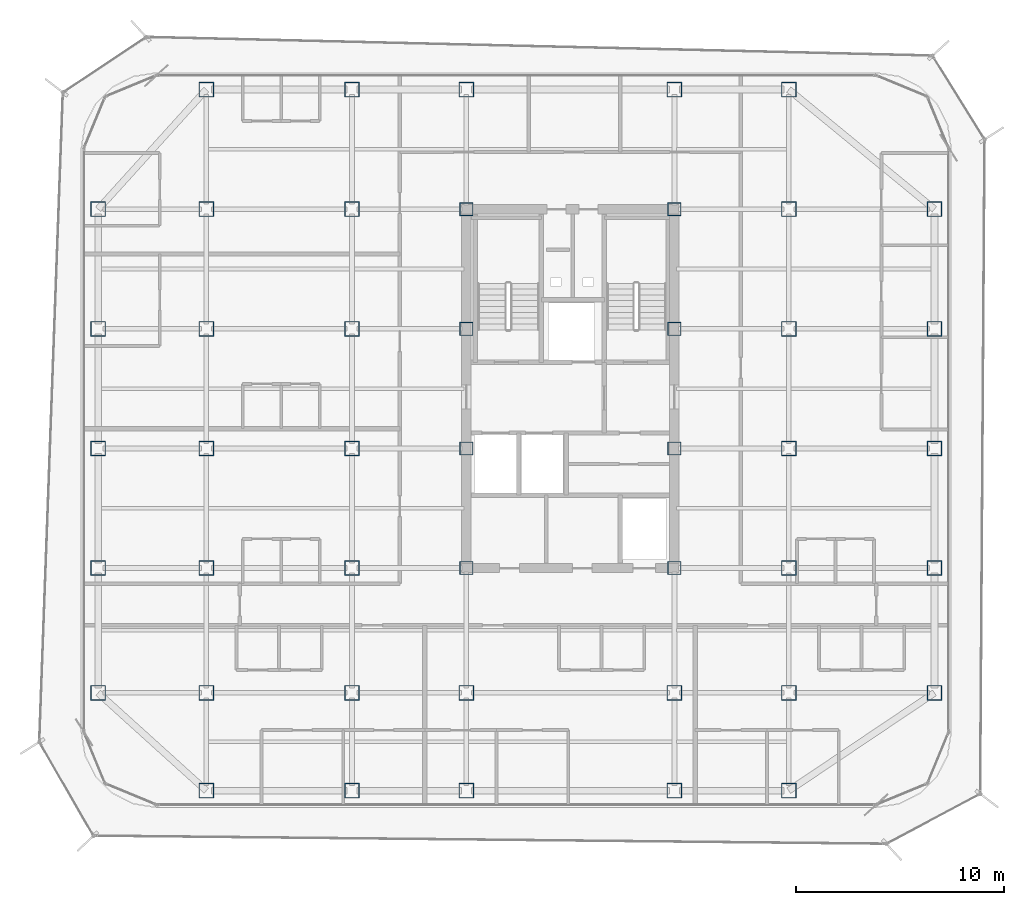
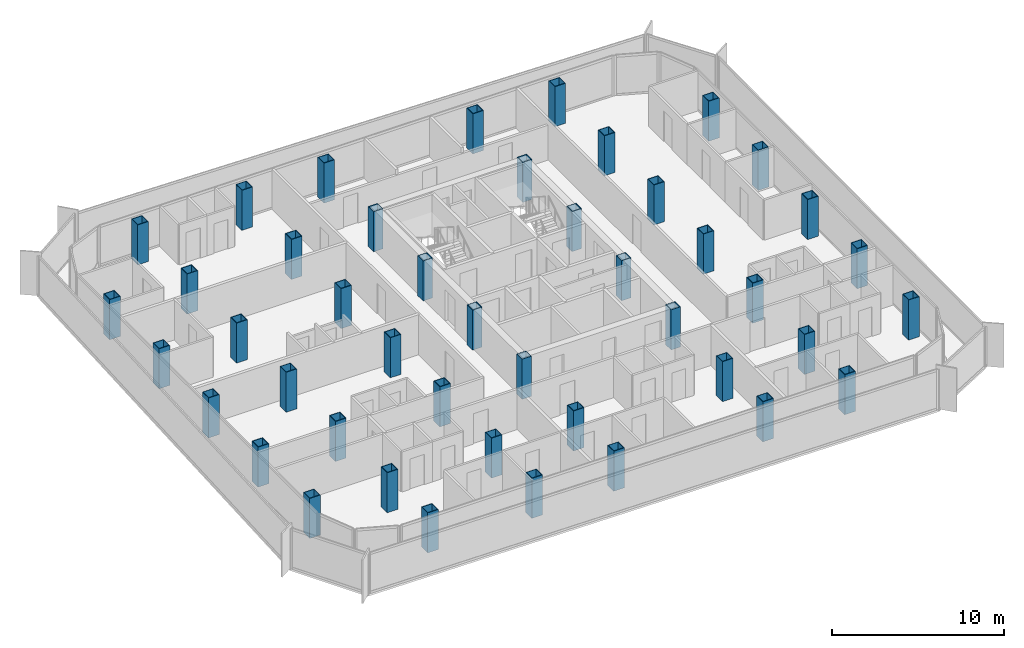
# One storey, part 1 of 16: 45 columns.
"""IFC4 building model written with IfcOpenShell, lengths in metres."""

from ifc_helpers import new_model, si_unit, direction, frame, origin, origin_2d, place, context, subcontext, project, spatial, hollow_rectangle, extrude, source, transform, mapped, material, material_profile, profile_set, type_object, element, save


model = new_model("IFC4")

# Units and contexts
model_context = context("Model", 3, precision=1e-05, world=origin(), true_north=direction((0.0, 1.0)))
body_context = subcontext(model_context, "Body", "Model", "MODEL_VIEW")
ifc_project = project(units=[si_unit("LENGTHUNIT", "METRE"), si_unit("AREAUNIT", "SQUARE_METRE"), si_unit("VOLUMEUNIT", "CUBIC_METRE"), si_unit("PLANEANGLEUNIT", "RADIAN"), si_unit("MASSUNIT", "GRAM", prefix="KILO")], contexts=[model_context])

# Site, building, storey
site_placement = place(None, origin())
site = spatial("IfcSite", under=ifc_project, at=site_placement, CompositionType="ELEMENT")
building_placement = place(site_placement, origin())
building = spatial("IfcBuilding", under=site, at=building_placement, Name="Kolveth Station Tower", CompositionType="ELEMENT")
storey_placement = place(building_placement, frame((0.0, 0.0, 212.39990234375)))
storey = spatial("IfcBuildingStorey", under=building, at=storey_placement, Name="L60", CompositionType="ELEMENT", Elevation=212.39990234375)

# Columns
ifc_material = material(Name="Steel S355", Category="steel")
ifc_material_profile_1 = material_profile(ifc_material, hollow_rectangle(XDim=0.719970703125, YDim=0.719970703125, WallThickness=0.0400390625, at=origin_2d()), Name="BOX720x720x40")
ifc_profile_set_1 = profile_set([ifc_material_profile_1], Name="Steel S355")
column_type_1 = type_object("IfcColumnType", Name="Col_C6", PredefinedType="COLUMN", material=ifc_profile_set_1)
shared_shape_1 = source(origin(), body_context, "Body", "SweptSolid", [
    extrude(hollow_rectangle(XDim=0.719970703125, YDim=0.719970703125, WallThickness=0.0400390625, at=origin_2d()), origin(), (0.0, 0.0, 1.0), 2.840087890625),
])
for number, where, z_axis, x_axis, name in (
    (1, (6.0, 0.800048828125, 0.0), (0.0, 0.0, 1.0), (1.0, 0.0, 0.0), "L60 Tower Column S-X60"),
    (2, (6.0, 34.5, 0.0), (0.0, 0.0, 1.0), (1.0, 0.0, 0.0), "L60 Tower Column N-X60"),
    (3, (13.0, 0.800048828125, 0.0), (0.0, 0.0, 1.0), (1.0, 0.0, 0.0), "L60 Tower Column S-X130"),
    (4, (13.0, 34.5, 0.0), (0.0, 0.0, 1.0), (1.0, 0.0, 0.0), "L60 Tower Column N-X130"),
    (5, (18.5, 0.800048828125, 0.0), (0.0, 0.0, 1.0), (1.0, 0.0, 0.0), "L60 Tower Column S-X185"),
    (6, (18.5, 34.5, 0.0), (0.0, 0.0, 1.0), (1.0, 0.0, 0.0), "L60 Tower Column N-X185"),
    (7, (28.5, 0.800048828125, 0.0), (0.0, 0.0, 1.0), (1.0, 0.0, 0.0), "L60 Tower Column S-X285"),
    (8, (28.5, 34.5, 0.0), (0.0, 0.0, 1.0), (1.0, 0.0, 0.0), "L60 Tower Column N-X285"),
    (9, (34.0, 0.800048828125, 0.0), (0.0, 0.0, 1.0), (1.0, 0.0, 0.0), "L60 Tower Column S-X340"),
    (10, (34.0, 34.5, 0.0), (0.0, 0.0, 1.0), (1.0, 0.0, 0.0), "L60 Tower Column N-X340"),
    (11, (0.800048828125, 5.5, 0.0), (0.0, 0.0, 1.0), (1.0, 0.0, 0.0), "L60 Tower Column W-Y55"),
    (12, (41.0, 5.5, 0.0), (0.0, 0.0, 1.0), (1.0, 0.0, 0.0), "L60 Tower Column E-Y55"),
    (13, (0.800048828125, 11.5, 0.0), (0.0, 0.0, 1.0), (1.0, 0.0, 0.0), "L60 Tower Column W-Y115"),
    (14, (41.0, 11.5, 0.0), (0.0, 0.0, 1.0), (1.0, 0.0, 0.0), "L60 Tower Column E-Y115"),
    (15, (0.800048828125, 17.25, 0.0), (0.0, 0.0, 1.0), (1.0, 0.0, 0.0), "L60 Tower Column W-Y172"),
    (16, (41.0, 17.25, 0.0), (0.0, 0.0, 1.0), (1.0, 0.0, 0.0), "L60 Tower Column E-Y172"),
    (17, (0.800048828125, 23.0, 0.0), (0.0, 0.0, 1.0), (1.0, 0.0, 0.0), "L60 Tower Column W-Y230"),
    (18, (41.0, 23.0, 0.0), (0.0, 0.0, 1.0), (1.0, 0.0, 0.0), "L60 Tower Column E-Y230"),
    (19, (0.800048828125, 28.75, 0.0), (0.0, 0.0, 1.0), (1.0, 0.0, 0.0), "L60 Tower Column W-Y287"),
    (20, (41.0, 28.75, 0.0), (0.0, 0.0, 1.0), (1.0, 0.0, 0.0), "L60 Tower Column E-Y287"),
    (21, (6.0, 5.5, 0.0), (0.0, 0.0, 1.0), (1.0, 0.0, 0.0), "L60 Tower Column G-60-55"),
    (22, (6.0, 11.5, 0.0), (0.0, 0.0, 1.0), (1.0, 0.0, 0.0), "L60 Tower Column G-60-115"),
    (23, (6.0, 17.25, 0.0), (0.0, 0.0, 1.0), (1.0, 0.0, 0.0), "L60 Tower Column G-60-172"),
    (24, (6.0, 23.0, 0.0), (0.0, 0.0, 1.0), (1.0, 0.0, 0.0), "L60 Tower Column G-60-230"),
    (25, (6.0, 28.75, 0.0), (0.0, 0.0, 1.0), (1.0, 0.0, 0.0), "L60 Tower Column G-60-287"),
    (26, (13.0, 5.5, 0.0), (0.0, 0.0, 1.0), (1.0, 0.0, 0.0), "L60 Tower Column G-130-55"),
    (27, (13.0, 11.5, 0.0), (0.0, 0.0, 1.0), (1.0, 0.0, 0.0), "L60 Tower Column G-130-115"),
    (28, (13.0, 17.25, 0.0), (0.0, 0.0, 1.0), (1.0, 0.0, 0.0), "L60 Tower Column G-130-172"),
    (29, (13.0, 23.0, 0.0), (0.0, 0.0, 1.0), (1.0, 0.0, 0.0), "L60 Tower Column G-130-230"),
    (30, (13.0, 28.75, 0.0), (0.0, 0.0, 1.0), (1.0, 0.0, 0.0), "L60 Tower Column G-130-287"),
    (31, (18.5, 5.5, 0.0), (0.0, 0.0, 1.0), (1.0, 0.0, 0.0), "L60 Tower Column G-185-55"),
    (32, (28.5, 5.5, 0.0), (0.0, 0.0, 1.0), (1.0, 0.0, 0.0), "L60 Tower Column G-285-55"),
    (33, (34.0, 5.5, 0.0), (0.0, 0.0, 1.0), (1.0, 0.0, 0.0), "L60 Tower Column G-340-55"),
    (34, (34.0, 11.5, 0.0), (0.0, 0.0, 1.0), (1.0, 0.0, 0.0), "L60 Tower Column G-340-115"),
    (35, (34.0, 17.25, 0.0), (0.0, 0.0, 1.0), (1.0, 0.0, 0.0), "L60 Tower Column G-340-172"),
    (36, (34.0, 23.0, 0.0), (0.0, 0.0, 1.0), (1.0, 0.0, 0.0), "L60 Tower Column G-340-230"),
    (37, (34.0, 28.75, 0.0), (0.0, 0.0, 1.0), (1.0, 0.0, 0.0), "L60 Tower Column G-340-287"),
):
    element("IfcColumn", number, at=place(storey_placement, frame(where, z_axis=z_axis, x_axis=x_axis)), inside=storey, type_object=column_type_1, Name=name, PredefinedType="COLUMN", context=body_context, shape_type="MappedRepresentation", body=[
        mapped(shared_shape_1, transform((0.0, 0.0, 0.0), x_axis=(1.0, 0.0, 0.0), y_axis=(0.0, 1.0, 0.0), z_axis=(0.0, 0.0, 1.0), scale=1.0)),
    ])
ifc_material_profile_2 = material_profile(ifc_material, hollow_rectangle(XDim=0.639892578125, YDim=0.639892578125, WallThickness=0.034912109375, at=origin_2d()), Name="BOX640x640x35")
ifc_profile_set_2 = profile_set([ifc_material_profile_2], Name="Steel S355")
column_type_2 = type_object("IfcColumnType", Name="Col_C7", PredefinedType="COLUMN", material=ifc_profile_set_2)
shared_shape_2 = source(origin(), body_context, "Body", "SweptSolid", [
    extrude(hollow_rectangle(XDim=0.639892578125, YDim=0.639892578125, WallThickness=0.034912109375, at=origin_2d()), origin(), (0.0, 0.0, 1.0), 2.840087890625),
])
for number, where, z_axis, x_axis, name in (
    (38, (18.5, 11.5, 0.0), (0.0, 0.0, 1.0), (1.0, 0.0, 0.0), "L60 Tower Column G-185-115"),
    (39, (18.5, 17.25, 0.0), (0.0, 0.0, 1.0), (1.0, 0.0, 0.0), "L60 Tower Column G-185-172"),
    (40, (18.5, 23.0, 0.0), (0.0, 0.0, 1.0), (1.0, 0.0, 0.0), "L60 Tower Column G-185-230"),
    (41, (18.5, 28.75, 0.0), (0.0, 0.0, 1.0), (1.0, 0.0, 0.0), "L60 Tower Column G-185-287"),
    (42, (28.5, 11.5, 0.0), (0.0, 0.0, 1.0), (1.0, 0.0, 0.0), "L60 Tower Column G-285-115"),
    (43, (28.5, 17.25, 0.0), (0.0, 0.0, 1.0), (1.0, 0.0, 0.0), "L60 Tower Column G-285-172"),
    (44, (28.5, 23.0, 0.0), (0.0, 0.0, 1.0), (1.0, 0.0, 0.0), "L60 Tower Column G-285-230"),
    (45, (28.5, 28.75, 0.0), (0.0, 0.0, 1.0), (1.0, 0.0, 0.0), "L60 Tower Column G-285-287"),
):
    element("IfcColumn", number, at=place(storey_placement, frame(where, z_axis=z_axis, x_axis=x_axis)), inside=storey, type_object=column_type_2, Name=name, PredefinedType="COLUMN", context=body_context, shape_type="MappedRepresentation", body=[
        mapped(shared_shape_2, transform((0.0, 0.0, 0.0), x_axis=(1.0, 0.0, 0.0), y_axis=(0.0, 1.0, 0.0), z_axis=(0.0, 0.0, 1.0), scale=1.0)),
    ])

save(model, "model.ifc")
